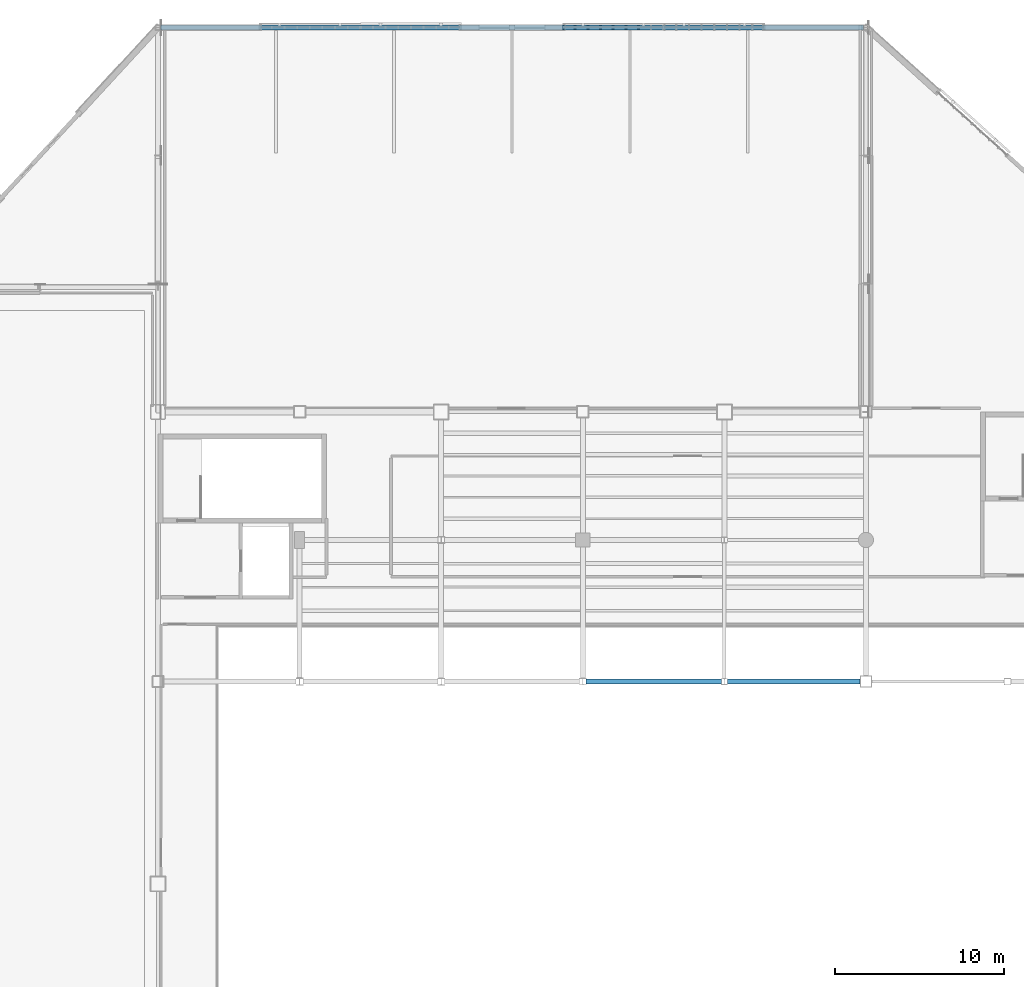
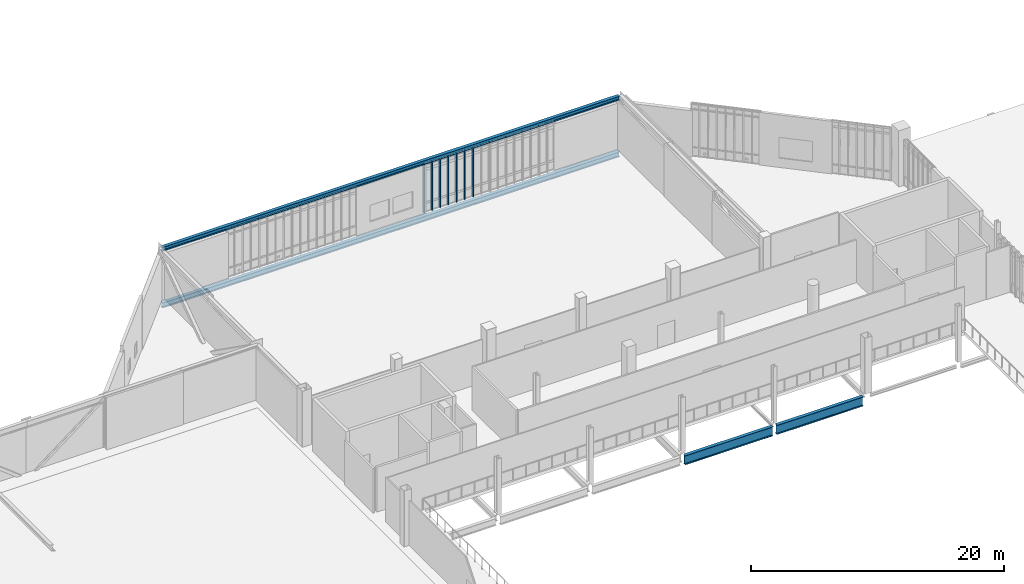
# One storey, part 25 of 135: 7 members, 4 beams, 1 element without a shape of its own.
"""IFC4 building model written with IfcOpenShell, lengths in metres."""

from ifc_helpers import new_model, si_unit, direction, frame, origin, origin_2d, place, context, subcontext, project, spatial, rectangle, i_section, extrude, material, material_profile, profile_set, type_object, element, aggregate, save


model = new_model("IFC4")

# Units and contexts
model_context = context("Model", 3, precision=1e-05, world=origin(), true_north=direction((0.0, 1.0)))
body_context = subcontext(model_context, "Body", "Model", "MODEL_VIEW")
ifc_project = project(units=[si_unit("LENGTHUNIT", "METRE"), si_unit("AREAUNIT", "SQUARE_METRE"), si_unit("VOLUMEUNIT", "CUBIC_METRE"), si_unit("PLANEANGLEUNIT", "RADIAN"), si_unit("MASSUNIT", "GRAM", prefix="KILO")], contexts=[model_context])

# Site, building, storey
site_placement = place(None, origin())
site = spatial("IfcSite", under=ifc_project, at=site_placement, CompositionType="ELEMENT")
building_placement = place(site_placement, origin())
building = spatial("IfcBuilding", under=site, at=building_placement, Name="Larkvane Passage Sports Hall", CompositionType="ELEMENT")
storey_placement = place(building_placement, frame((0.0, 0.0, 16.800048828125)))
storey = spatial("IfcBuildingStorey", under=building, at=storey_placement, Name="L03", CompositionType="ELEMENT", Elevation=16.800048828125)

# Beams
ifc_material_1 = material(Name="Steel S355JR", Category="steel")
ifc_material_profile_1 = material_profile(ifc_material_1, i_section(OverallWidth=0.300048828125, OverallDepth=0.389892578125, WebThickness=0.010009765625, FlangeThickness=0.01611328125, FilletRadius=0.01806640625, at=origin_2d()), Name="H-390x300x10x16")
ifc_profile_set_1 = profile_set([ifc_material_profile_1], Name="Steel S355JR")
beam_type_1 = type_object("IfcBeamType", Name="BM-STL-H390", PredefinedType="BEAM", material=ifc_profile_set_1)
beam_1_placement = place(storey_placement, frame((34.949951171875, 114.39990234375, 4.85498046875), z_axis=(1.0, 0.0, 0.0), x_axis=(0.0, 1.0, 0.0)))
element("IfcBeam", 1, at=beam_1_placement, inside=storey, type_object=beam_type_1, Name="Cantilever transverse top beam CT-N3A--4", PredefinedType="BEAM", context=body_context, shape_type="SweptSolid", body=[
    extrude(i_section(OverallWidth=0.300048828125, OverallDepth=0.389892578125, WebThickness=0.010009765625, FlangeThickness=0.01611328125, FilletRadius=0.01806640625, at=origin_2d()), origin(), (0.0, 0.0, 1.0), 41.699951171875),
])
ifc_material_profile_2 = material_profile(ifc_material_1, i_section(OverallWidth=0.300048828125, OverallDepth=0.488037109375, WebThickness=0.010986328125, FlangeThickness=0.01806640625, FilletRadius=0.02197265625, at=origin_2d()), Name="H-488x300x11x18")
ifc_profile_set_2 = profile_set([ifc_material_profile_2], Name="Steel S355JR")
beam_type_2 = type_object("IfcBeamType", Name="BM-STL-H488", PredefinedType="BEAM", material=ifc_profile_set_2)
beam_2_placement = place(storey_placement, frame((34.949951171875, 114.39990234375, -0.56396484375), z_axis=(1.0, 0.0, 0.0), x_axis=(0.0, 1.0, 0.0)))
element("IfcBeam", 2, at=beam_2_placement, inside=storey, type_object=beam_type_2, Name="Cantilever transverse flr beam CT-N3A--4", PredefinedType="BEAM", context=body_context, shape_type="SweptSolid", body=[
    extrude(i_section(OverallWidth=0.300048828125, OverallDepth=0.488037109375, WebThickness=0.010986328125, FlangeThickness=0.01806640625, FilletRadius=0.02197265625, at=origin_2d()), origin(), (0.0, 0.0, 1.0), 41.699951171875),
])
ifc_material_2 = material(Name="Steel S460N", Category="steel")
ifc_material_profile_3 = material_profile(ifc_material_2, i_section(OverallWidth=0.299072265625, OverallDepth=0.889892578125, WebThickness=0.014892578125, FlangeThickness=0.02294921875, FilletRadius=0.02197265625, at=origin_2d()), Name="H-890x299x15x23")
ifc_profile_set_3 = profile_set([ifc_material_profile_3], Name="Steel S460N")
beam_type_3 = type_object("IfcBeamType", Name="BM-STL-H890", PredefinedType="BEAM", material=ifc_profile_set_3)
beam_3_placement = place(storey_placement, frame((60.199951171875, 75.60009765625, -0.78515625), z_axis=(1.0, 0.0, 0.0), x_axis=(0.0, 1.0, 0.0)))
element("IfcBeam", 3, at=beam_3_placement, inside=storey, type_object=beam_type_3, Name="Girder BM5-X-L03-J-1000", PredefinedType="BEAM", context=body_context, shape_type="SweptSolid", body=[
    extrude(i_section(OverallWidth=0.299072265625, OverallDepth=0.889892578125, WebThickness=0.014892578125, FlangeThickness=0.02294921875, FilletRadius=0.02197265625, at=origin_2d()), origin(), (0.0, 0.0, 1.0), 8.025146484375),
])
ifc_material_profile_4 = material_profile(ifc_material_2, i_section(OverallWidth=0.300048828125, OverallDepth=0.89990234375, WebThickness=0.01611328125, FlangeThickness=0.028076171875, FilletRadius=0.02197265625, at=origin_2d()), Name="H-900x300x16x28")
ifc_profile_set_4 = profile_set([ifc_material_profile_4], Name="Steel S460N")
beam_type_4 = type_object("IfcBeamType", Name="BM-STL-H900", PredefinedType="BEAM", material=ifc_profile_set_4)
beam_4_placement = place(storey_placement, frame((68.574951171875, 75.60009765625, -0.7900390625), z_axis=(1.0, 0.0, 0.0), x_axis=(0.0, 1.0, 0.0)))
element("IfcBeam", 4, at=beam_4_placement, inside=storey, type_object=beam_type_4, Name="Girder BM5-X-L03-J-1001", PredefinedType="BEAM", context=body_context, shape_type="SweptSolid", body=[
    extrude(i_section(OverallWidth=0.300048828125, OverallDepth=0.89990234375, WebThickness=0.01611328125, FlangeThickness=0.028076171875, FilletRadius=0.02197265625, at=origin_2d()), origin(), (0.0, 0.0, 1.0), 7.875),
])

# Curtain wall, members
ifc_material_3 = material(Name="Thermally broken aluminium and low-E glazing", Category="aluminium")
curtain_wall_type = type_object("IfcCurtainWallType", Name="CW-STICK-FOYER", PredefinedType="USERDEFINED", material=ifc_material_3)
curtain_wall_placement = place(storey_placement, origin())
curtain_wall = element("IfcCurtainWall", 5, at=curtain_wall_placement, inside=storey, type_object=curtain_wall_type, Name="Curtain wall CW5-L03-138", ObjectType="STICK CURTAIN WALL", PredefinedType="USERDEFINED")
ifc_material_4 = material(Name="Anodised aluminium 6063-T6", Category="aluminium")
ifc_material_profile_5 = material_profile(ifc_material_4, rectangle(XDim=0.090087890625, YDim=0.280029296875, at=origin_2d()), Name="ALU-MUL-90x280")
ifc_profile_set_5 = profile_set([ifc_material_profile_5], Name="Anodised aluminium 6063-T6")
member_type = type_object("IfcMemberType", Name="CW-MUL-90x280", PredefinedType="MULLION", material=ifc_profile_set_5)
member_1_placement = place(storey_placement, frame((58.844970703125, 114.39990234375, 0.0), z_axis=(0.0, 0.0, 1.0), x_axis=(1.0, 0.0, 0.0)))
member_1 = element("IfcMember", 6, at=member_1_placement, type_object=member_type, Name="CW-03 mullion 1", PredefinedType="MULLION", context=body_context, shape_type="SweptSolid", body=[
    extrude(rectangle(XDim=0.090087890625, YDim=0.280029296875, at=origin_2d()), origin(), (0.0, 0.0, 1.0), 4.64794921875),
])
member_2_placement = place(storey_placement, frame((59.550048828125, 114.39990234375, 0.0), z_axis=(0.0, 0.0, 1.0), x_axis=(1.0, 0.0, 0.0)))
member_2 = element("IfcMember", 7, at=member_2_placement, type_object=member_type, Name="CW-03 mullion 2", PredefinedType="MULLION", context=body_context, shape_type="SweptSolid", body=[
    extrude(rectangle(XDim=0.090087890625, YDim=0.280029296875, at=origin_2d()), origin(), (0.0, 0.0, 1.0), 4.64794921875),
])
member_3_placement = place(storey_placement, frame((60.300048828125, 114.39990234375, 0.0), z_axis=(0.0, 0.0, 1.0), x_axis=(1.0, 0.0, 0.0)))
member_3 = element("IfcMember", 8, at=member_3_placement, type_object=member_type, Name="CW-03 mullion 3", PredefinedType="MULLION", context=body_context, shape_type="SweptSolid", body=[
    extrude(rectangle(XDim=0.090087890625, YDim=0.280029296875, at=origin_2d()), origin(), (0.0, 0.0, 1.0), 4.64794921875),
])
member_4_placement = place(storey_placement, frame((61.050048828125, 114.39990234375, 0.0), z_axis=(0.0, 0.0, 1.0), x_axis=(1.0, 0.0, 0.0)))
member_4 = element("IfcMember", 9, at=member_4_placement, type_object=member_type, Name="CW-03 mullion 4", PredefinedType="MULLION", context=body_context, shape_type="SweptSolid", body=[
    extrude(rectangle(XDim=0.090087890625, YDim=0.280029296875, at=origin_2d()), origin(), (0.0, 0.0, 1.0), 4.64794921875),
])
member_5_placement = place(storey_placement, frame((61.800048828125, 114.39990234375, 0.0), z_axis=(0.0, 0.0, 1.0), x_axis=(1.0, 0.0, 0.0)))
member_5 = element("IfcMember", 10, at=member_5_placement, type_object=member_type, Name="CW-03 mullion 5", PredefinedType="MULLION", context=body_context, shape_type="SweptSolid", body=[
    extrude(rectangle(XDim=0.090087890625, YDim=0.280029296875, at=origin_2d()), origin(), (0.0, 0.0, 1.0), 4.64794921875),
])
member_6_placement = place(storey_placement, frame((62.550048828125, 114.39990234375, 0.0), z_axis=(0.0, 0.0, 1.0), x_axis=(1.0, 0.0, 0.0)))
member_6 = element("IfcMember", 11, at=member_6_placement, type_object=member_type, Name="CW-03 mullion 6", PredefinedType="MULLION", context=body_context, shape_type="SweptSolid", body=[
    extrude(rectangle(XDim=0.090087890625, YDim=0.280029296875, at=origin_2d()), origin(), (0.0, 0.0, 1.0), 4.64794921875),
])
member_7_placement = place(storey_placement, frame((63.300048828125, 114.39990234375, 0.0), z_axis=(0.0, 0.0, 1.0), x_axis=(1.0, 0.0, 0.0)))
member_7 = element("IfcMember", 12, at=member_7_placement, type_object=member_type, Name="CW-03 mullion 7", PredefinedType="MULLION", context=body_context, shape_type="SweptSolid", body=[
    extrude(rectangle(XDim=0.090087890625, YDim=0.280029296875, at=origin_2d()), origin(), (0.0, 0.0, 1.0), 4.64794921875),
])
aggregate(curtain_wall, [member_1, member_2, member_3, member_4, member_5, member_6, member_7])

save(model, "model.ifc")
